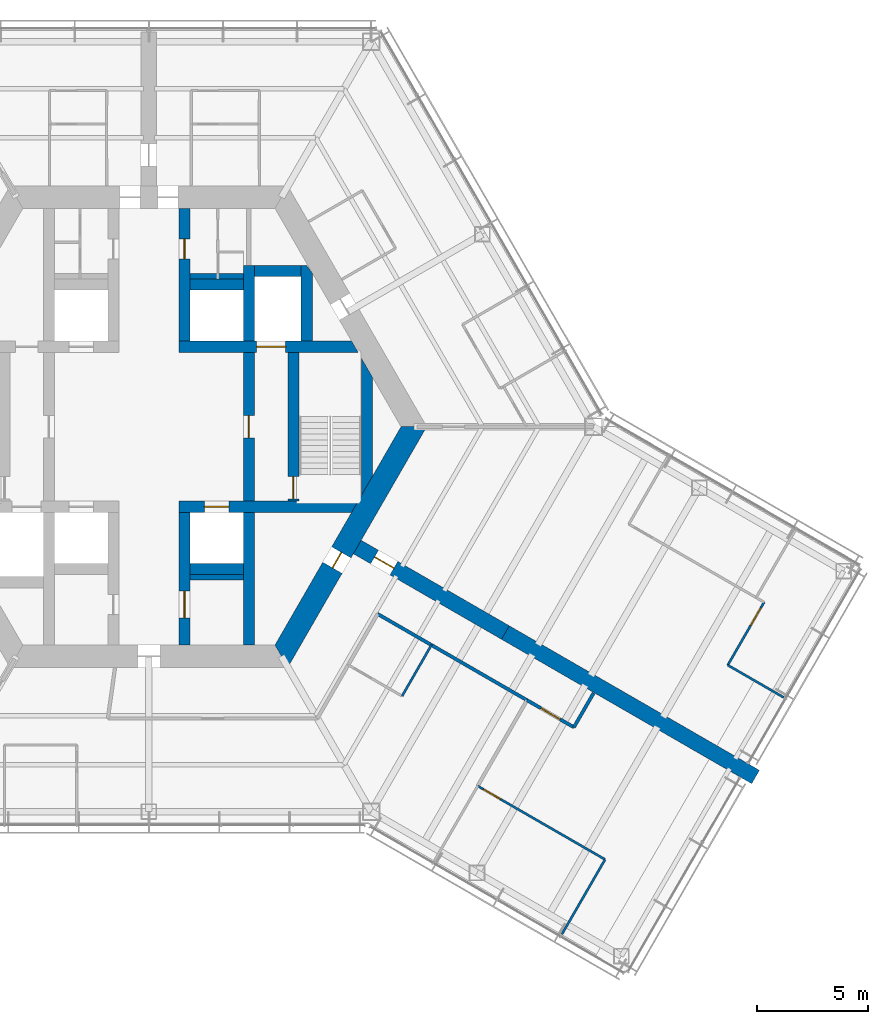
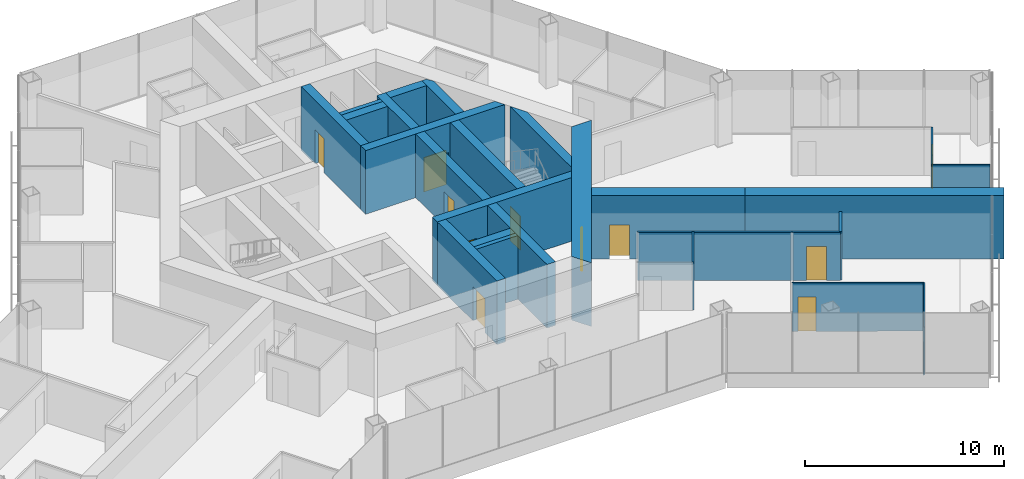
# One storey, part 13 of 18: 27 walls, 11 doors, 11 openings.
"""IFC4 building model written with IfcOpenShell, lengths in metres."""

from ifc_helpers import new_model, si_unit, direction, frame, frame_2d, origin, place, context, subcontext, project, spatial, polyline, rectangle, outline, extrude, material, layer, layer_set, type_object, element, fill, save


model = new_model("IFC4")

# Units and contexts
model_context = context("Model", 3, precision=1e-05, world=origin(), true_north=direction((0.0, 1.0)))
body_context = subcontext(model_context, "Body", "Model", "MODEL_VIEW")
ifc_project = project(units=[si_unit("LENGTHUNIT", "METRE"), si_unit("AREAUNIT", "SQUARE_METRE"), si_unit("VOLUMEUNIT", "CUBIC_METRE"), si_unit("PLANEANGLEUNIT", "RADIAN"), si_unit("MASSUNIT", "GRAM", prefix="KILO")], contexts=[model_context])

# Site, building, storey
site_placement = place(None, origin())
site = spatial("IfcSite", under=ifc_project, at=site_placement, CompositionType="ELEMENT")
building_placement = place(site_placement, origin())
building = spatial("IfcBuilding", under=site, at=building_placement, Name="Kasaneha Research Tower", CompositionType="ELEMENT")
storey_placement = place(building_placement, frame((0.0, 0.0, 137.0)))
storey = spatial("IfcBuildingStorey", under=building, at=storey_placement, Name="L34", CompositionType="ELEMENT", Elevation=137.0)

# Wall, opening, door
ifc_material_1 = material(Name="Concrete Fc70", Category="concrete")
ifc_layer_1 = layer(ifc_material_1, 0.5)
ifc_layer_set_1 = layer_set([ifc_layer_1], Name="Core internal wall 500 Fc70")
wall_type_1 = type_object("IfcWallType", Name="Core internal wall 500 Fc70", PredefinedType="SHEAR", material=ifc_layer_set_1)
wall_1_placement = place(storey_placement, frame((1.35009765625, 3.60009765625, 0.0), z_axis=(0.0, 0.0, 1.0), x_axis=(1.0, 0.0, 0.0)))
wall_1 = element("IfcWall", 1, at=wall_1_placement, inside=storey, type_object=wall_type_1, Name="Core wall W1E L34", PredefinedType="SHEAR", context=body_context, shape_type="SweptSolid", body=[
    extrude(outline(polyline([(0.0, -0.25), (3.5, -0.25), (4.800048828125, -0.25), (8.060546875, -0.25), (7.77197265625, 0.25), (4.800048828125, 0.25), (3.5, 0.25), (0.0, 0.25), (0.0, -0.25)])), origin(), (0.0, 0.0, 1.0), 3.89990234375),
])
opening_1_placement = place(wall_1_placement, frame((3.5, 0.0, 0.0)))
opening_1 = element("IfcOpeningElement", 2, at=opening_1_placement, cuts=wall_1, Name="Opening LD-FL1-L34", PredefinedType="OPENING", context=body_context, shape_type="SweptSolid", body=[
    extrude(rectangle(XDim=1.300048828125, YDim=2.10009765625, at=frame_2d((0.64990234375, 1.050048828125))), frame((0.0, 0.260009765625, 0.0), z_axis=(0.0, -1.0, 0.0), x_axis=(1.0, 0.0, 0.0)), (0.0, 0.0, 1.0), 0.52001953125),
])
ifc_material_2 = material(Name="Steel", Category="steel")
door_type_1 = type_object("IfcDoorType", Name="Lift landing door 1300x2100", OperationType="DOUBLE_DOOR_SLIDING", PredefinedType="DOOR", material=ifc_material_2)
door_1_placement = place(opening_1_placement, origin())
door_1 = element("IfcDoor", 3, at=door_1_placement, inside=storey, type_object=door_type_1, Name="Landing door FL1 LD-FL1-L34", OperationType="DOUBLE_DOOR_SLIDING", OverallHeight=2.10009765625, OverallWidth=1.300048828125, PredefinedType="DOOR", context=body_context, shape_type="SweptSolid", body=[
    extrude(rectangle(XDim=1.300048828125, YDim=2.10009765625, at=frame_2d((0.64990234375, 1.050048828125))), frame((0.0, 0.02490234375, 0.0), z_axis=(0.0, -1.0, 0.0), x_axis=(1.0, 0.0, 0.0)), (0.0, 0.0, 1.0), 0.050048828125),
])
fill(opening_1, door_1)

wall_2_placement = place(storey_placement, frame((1.35009765625, -3.60009765625, 0.0), z_axis=(0.0, 0.0, 1.0), x_axis=(1.0, 0.0, 0.0)))
wall_2 = element("IfcWall", 4, at=wall_2_placement, inside=storey, type_object=wall_type_1, Name="Core wall W2E L34", PredefinedType="SHEAR", context=body_context, shape_type="SweptSolid", body=[
    extrude(outline(polyline([(0.0, -0.25), (1.14990234375, -0.25), (2.25, -0.25), (7.77197265625, -0.25), (8.060546875, 0.25), (2.25, 0.25), (1.14990234375, 0.25), (0.0, 0.25), (0.0, -0.25)])), origin(), (0.0, 0.0, 1.0), 3.89990234375),
])
opening_2_placement = place(wall_2_placement, frame((1.14990234375, 0.0, 0.0)))
opening_2 = element("IfcOpeningElement", 5, at=opening_2_placement, cuts=wall_2, Name="Opening LD-LM2-L34", PredefinedType="OPENING", context=body_context, shape_type="SweptSolid", body=[
    extrude(rectangle(XDim=1.10009765625, YDim=2.10009765625, at=frame_2d((0.550048828125, 1.050048828125))), frame((0.0, 0.260009765625, 0.0), z_axis=(0.0, -1.0, 0.0), x_axis=(1.0, 0.0, 0.0)), (0.0, 0.0, 1.0), 0.52001953125),
])
ifc_material_3 = material(Name="Steel", Category="steel")
door_type_2 = type_object("IfcDoorType", Name="Lift landing door 1100x2100", OperationType="DOUBLE_DOOR_SLIDING", PredefinedType="DOOR", material=ifc_material_3)
door_2_placement = place(opening_2_placement, origin())
door_2 = element("IfcDoor", 6, at=door_2_placement, inside=storey, type_object=door_type_2, Name="Landing door LM2 LD-LM2-L34", OperationType="DOUBLE_DOOR_SLIDING", OverallHeight=2.10009765625, OverallWidth=1.10009765625, PredefinedType="DOOR", context=body_context, shape_type="SweptSolid", body=[
    extrude(rectangle(XDim=1.10009765625, YDim=2.10009765625, at=frame_2d((0.550048828125, 1.050048828125))), frame((0.0, 0.02490234375, 0.0), z_axis=(0.0, -1.0, 0.0), x_axis=(1.0, 0.0, 0.0)), (0.0, 0.0, 1.0), 0.050048828125),
])
fill(opening_2, door_2)

wall_3_placement = place(storey_placement, frame((1.60009765625, 3.85009765625, 0.0), z_axis=(0.0, 0.0, 1.0), x_axis=(0.0, 1.0, 0.0)))
wall_3 = element("IfcWall", 7, at=wall_3_placement, inside=storey, type_object=wall_type_1, Name="Core wall CNE L34", PredefinedType="SHEAR", context=body_context, shape_type="SweptSolid", body=[
    extrude(rectangle(XDim=5.974853515625, YDim=0.5, at=frame_2d((2.9873046875, 0.0))), origin(), (0.0, 0.0, 1.0), 3.89990234375),
])
opening_3_placement = place(wall_3_placement, frame((3.699951171875, 0.0, 0.0)))
opening_3 = element("IfcOpeningElement", 8, at=opening_3_placement, cuts=wall_3, Name="Opening L34-D14", PredefinedType="OPENING", context=body_context, shape_type="SweptSolid", body=[
    extrude(rectangle(XDim=0.89990234375, YDim=2.10009765625, at=frame_2d((0.449951171875, 1.050048828125))), frame((0.0, 0.260009765625, 0.0), z_axis=(0.0, -1.0, 0.0), x_axis=(1.0, 0.0, 0.0)), (0.0, 0.0, 1.0), 0.52001953125),
])
ifc_material_4 = material(Name="Steel", Category="steel")
door_type_3 = type_object("IfcDoorType", Name="Toilet door FD20 900x2100", OperationType="NOTDEFINED", PredefinedType="DOOR", material=ifc_material_4)
door_3_placement = place(opening_3_placement, origin())
door_3 = element("IfcDoor", 9, at=door_3_placement, inside=storey, type_object=door_type_3, Name="Women's WC door L34-D14", OperationType="SINGLE_SWING_LEFT", OverallHeight=2.10009765625, OverallWidth=0.89990234375, PredefinedType="DOOR", context=body_context, shape_type="SweptSolid", body=[
    extrude(rectangle(XDim=0.89990234375, YDim=2.10009765625, at=frame_2d((0.449951171875, 1.050048828125))), frame((0.0, 0.02490234375, 0.0), z_axis=(0.0, -1.0, 0.0), x_axis=(1.0, 0.0, 0.0)), (0.0, 0.0, 1.0), 0.050048828125),
])
fill(opening_3, door_3)

wall_4_placement = place(storey_placement, frame((1.60009765625, -3.85009765625, 0.0), z_axis=(0.0, 0.0, 1.0), x_axis=(0.0, -1.0, 0.0)))
wall_4 = element("IfcWall", 10, at=wall_4_placement, inside=storey, type_object=wall_type_1, Name="Core wall CSE L34", PredefinedType="SHEAR", context=body_context, shape_type="SweptSolid", body=[
    extrude(rectangle(XDim=5.974853515625, YDim=0.5, at=frame_2d((2.9873046875, 0.0))), origin(), (0.0, 0.0, 1.0), 3.89990234375),
])
opening_4_placement = place(wall_4_placement, frame((3.550048828125, 0.0, 0.0)))
opening_4 = element("IfcOpeningElement", 11, at=opening_4_placement, cuts=wall_4, Name="Opening L34-D15", PredefinedType="OPENING", context=body_context, shape_type="SweptSolid", body=[
    extrude(rectangle(XDim=1.199951171875, YDim=2.10009765625, at=frame_2d((0.60009765625, 1.050048828125))), frame((0.0, 0.260009765625, 0.0), z_axis=(0.0, -1.0, 0.0), x_axis=(1.0, 0.0, 0.0)), (0.0, 0.0, 1.0), 0.52001953125),
])
ifc_material_5 = material(Name="Steel", Category="steel")
door_type_4 = type_object("IfcDoorType", Name="Accessible toilet sliding door FD20 1200x2100", OperationType="SLIDING_TO_LEFT", PredefinedType="DOOR", material=ifc_material_5)
door_4_placement = place(opening_4_placement, origin())
door_4 = element("IfcDoor", 12, at=door_4_placement, inside=storey, type_object=door_type_4, Name="Accessible WC door L34-D15", OperationType="SLIDING_TO_LEFT", OverallHeight=2.10009765625, OverallWidth=1.199951171875, PredefinedType="DOOR", context=body_context, shape_type="SweptSolid", body=[
    extrude(rectangle(XDim=1.199951171875, YDim=2.10009765625, at=frame_2d((0.60009765625, 1.050048828125))), frame((0.0, 0.02490234375, 0.0), z_axis=(0.0, -1.0, 0.0), x_axis=(1.0, 0.0, 0.0)), (0.0, 0.0, 1.0), 0.050048828125),
])
fill(opening_4, door_4)

wall_5_placement = place(storey_placement, frame((4.5, -3.35009765625, 0.0), z_axis=(0.0, 0.0, 1.0), x_axis=(0.0, 1.0, 0.0)))
wall_5 = element("IfcWall", 13, at=wall_5_placement, inside=storey, type_object=wall_type_1, Name="Core wall LBE L34", PredefinedType="SHEAR", context=body_context, shape_type="SweptSolid", body=[
    extrude(rectangle(XDim=6.7001953125, YDim=0.5, at=frame_2d((3.35009765625, 0.0))), origin(), (0.0, 0.0, 1.0), 3.89990234375),
])
opening_5_placement = place(wall_5_placement, frame((2.85009765625, 0.0, 0.0)))
opening_5 = element("IfcOpeningElement", 14, at=opening_5_placement, cuts=wall_5, Name="Opening L34-D08", PredefinedType="OPENING", context=body_context, shape_type="SweptSolid", body=[
    extrude(rectangle(XDim=1.0, YDim=2.10009765625, at=frame_2d((0.5, 1.050048828125))), frame((0.0, 0.260009765625, 0.0), z_axis=(0.0, -1.0, 0.0), x_axis=(1.0, 0.0, 0.0)), (0.0, 0.0, 1.0), 0.52001953125),
])
ifc_material_6 = material(Name="Steel", Category="steel")
door_type_5 = type_object("IfcDoorType", Name="Specified fire door FD60 1000x2100", OperationType="NOTDEFINED", PredefinedType="DOOR", material=ifc_material_6)
door_5_placement = place(opening_5_placement, origin())
door_5 = element("IfcDoor", 15, at=door_5_placement, inside=storey, type_object=door_type_5, Name="Lift lobby door east L34-D08", OperationType="SINGLE_SWING_LEFT", OverallHeight=2.10009765625, OverallWidth=1.0, PredefinedType="DOOR", context=body_context, shape_type="SweptSolid", body=[
    extrude(rectangle(XDim=1.0, YDim=2.10009765625, at=frame_2d((0.5, 1.050048828125))), frame((0.0, 0.02490234375, 0.0), z_axis=(0.0, -1.0, 0.0), x_axis=(1.0, 0.0, 0.0)), (0.0, 0.0, 1.0), 0.050048828125),
])
fill(opening_5, door_5)

wall_6_placement = place(storey_placement, frame((6.5, -3.35009765625, 0.0), z_axis=(0.0, 0.0, 1.0), x_axis=(0.0, 1.0, 0.0)))
wall_6 = element("IfcWall", 16, at=wall_6_placement, inside=storey, type_object=wall_type_1, Name="Core wall ANE L34", PredefinedType="SHEAR", context=body_context, shape_type="SweptSolid", body=[
    extrude(rectangle(XDim=6.7001953125, YDim=0.5, at=frame_2d((3.35009765625, 0.0))), origin(), (0.0, 0.0, 1.0), 3.89990234375),
])
opening_6_placement = place(wall_6_placement, frame((0.10009765625, 0.0, 0.0)))
opening_6 = element("IfcOpeningElement", 17, at=opening_6_placement, cuts=wall_6, Name="Opening L34-D10", PredefinedType="OPENING", context=body_context, shape_type="SweptSolid", body=[
    extrude(rectangle(XDim=1.0, YDim=2.10009765625, at=frame_2d((0.5, 1.050048828125))), frame((0.0, 0.260009765625, 0.0), z_axis=(0.0, -1.0, 0.0), x_axis=(1.0, 0.0, 0.0)), (0.0, 0.0, 1.0), 0.52001953125),
])
door_6_placement = place(opening_6_placement, origin())
door_6 = element("IfcDoor", 18, at=door_6_placement, inside=storey, type_object=door_type_5, Name="Stair 1 door L34-D10", OperationType="SINGLE_SWING_LEFT", OverallHeight=2.10009765625, OverallWidth=1.0, PredefinedType="DOOR", context=body_context, shape_type="SweptSolid", body=[
    extrude(rectangle(XDim=1.0, YDim=2.10009765625, at=frame_2d((0.5, 1.050048828125))), frame((0.0, 0.02490234375, 0.0), z_axis=(0.0, -1.0, 0.0), x_axis=(1.0, 0.0, 0.0)), (0.0, 0.0, 1.0), 0.050048828125),
])
fill(opening_6, door_6)

# Walls
wall_7_placement = place(storey_placement, frame((4.5, 3.85009765625, 0.0), z_axis=(0.0, 0.0, 1.0), x_axis=(0.0, 1.0, 0.0)))
element("IfcWall", 19, at=wall_7_placement, inside=storey, type_object=wall_type_1, Name="Core wall FNE L34", PredefinedType="SHEAR", context=body_context, shape_type="SweptSolid", body=[
    extrude(rectangle(XDim=3.39990234375, YDim=0.5, at=frame_2d((1.699951171875, 0.0))), origin(), (0.0, 0.0, 1.0), 3.89990234375),
])
wall_8_placement = place(storey_placement, frame((4.5, -3.85009765625, 0.0), z_axis=(0.0, 0.0, 1.0), x_axis=(0.0, -1.0, 0.0)))
element("IfcWall", 20, at=wall_8_placement, inside=storey, type_object=wall_type_1, Name="Core wall SSE L34", PredefinedType="SHEAR", context=body_context, shape_type="SweptSolid", body=[
    extrude(rectangle(XDim=5.974853515625, YDim=0.5, at=frame_2d((2.9873046875, 0.0))), origin(), (0.0, 0.0, 1.0), 3.89990234375),
])
for number, where, z_axis, x_axis, name in (
    (21, (1.85009765625, 6.39990234375, 0.0), (0.0, 0.0, 1.0), (1.0, 0.0, 0.0), "Core wall N3N L34"),
    (22, (1.85009765625, -6.39990234375, 0.0), (0.0, 0.0, 1.0), (1.0, 0.0, 0.0), "Core wall S3S L34"),
):
    element("IfcWall", number, at=place(storey_placement, frame(where, z_axis=z_axis, x_axis=x_axis)), inside=storey, type_object=wall_type_1, Name=name, PredefinedType="SHEAR", context=body_context, shape_type="SweptSolid", body=[
        extrude(rectangle(XDim=2.39990234375, YDim=0.5, at=frame_2d((1.199951171875, 0.0))), origin(), (0.0, 0.0, 1.0), 3.89990234375),
    ])
wall_9_placement = place(storey_placement, frame((4.75, 7.0, 0.0), z_axis=(0.0, 0.0, 1.0), x_axis=(1.0, 0.0, 0.0)))
element("IfcWall", 23, at=wall_9_placement, inside=storey, type_object=wall_type_1, Name="Core wall F1N L34", PredefinedType="SHEAR", context=body_context, shape_type="SweptSolid", body=[
    extrude(rectangle(XDim=2.10009765625, YDim=0.5, at=frame_2d((1.050048828125, 0.0))), origin(), (0.0, 0.0, 1.0), 3.89990234375),
])
wall_10_placement = place(storey_placement, frame((7.10009765625, 3.85009765625, 0.0), z_axis=(0.0, 0.0, 1.0), x_axis=(0.0, 1.0, 0.0)))
element("IfcWall", 24, at=wall_10_placement, inside=storey, type_object=wall_type_1, Name="Core wall F1E L34", PredefinedType="SHEAR", context=body_context, shape_type="SweptSolid", body=[
    extrude(outline(polyline([(0.0, -0.25), (3.0693359375, -0.25), (3.39990234375, 0.0), (3.39990234375, 0.25), (0.0, 0.25), (0.0, -0.25)])), origin(), (0.0, 0.0, 1.0), 3.89990234375),
])
wall_11_placement = place(storey_placement, frame((9.807861328125, -2.662353515625, 0.0), z_axis=(0.0, 0.0, 1.0), x_axis=(0.0, 1.0, 0.0)))
element("IfcWall", 25, at=wall_11_placement, inside=storey, type_object=wall_type_1, Name="Core wall STE L34", PredefinedType="SHEAR", context=body_context, shape_type="SweptSolid", body=[
    extrude(outline(polyline([(0.43310546875, -0.25), (4.8916015625, -0.25), (5.7578125, 0.25), (-0.43310546875, 0.25), (0.43310546875, -0.25)])), origin(), (0.0, 0.0, 1.0), 3.89990234375),
])

# Wall, opening, door
ifc_material_7 = material(Name="Concrete Fc70", Category="concrete")
ifc_layer_2 = layer(ifc_material_7, 1.0)
ifc_layer_set_2 = layer_set([ifc_layer_2], Name="Core wall 1000 Fc70")
wall_type_2 = type_object("IfcWallType", Name="Core wall 1000 Fc70", PredefinedType="SHEAR", material=ifc_layer_set_2)
wall_12_placement = place(storey_placement, frame((5.961181640625, -10.324951171875, 0.0), z_axis=(0.0, 0.0, 1.0), x_axis=(0.500004296715, 0.866022923061, 0.0)))
wall_12 = element("IfcWall", 26, at=wall_12_placement, inside=storey, type_object=wall_type_2, Name="Core wall 330 L34", PredefinedType="SHEAR", context=body_context, shape_type="SweptSolid", body=[
    extrude(outline(polyline([(-0.28857421875, -0.5), (4.593994140625, -0.5), (5.39404296875, -0.5), (12.2109375, -0.5), (11.6337890625, 0.5), (5.39404296875, 0.5), (4.593994140625, 0.5), (0.28857421875, 0.5), (-0.28857421875, -0.5)])), origin(), (0.0, 0.0, 1.0), 3.89990234375),
])
opening_7_placement = place(wall_12_placement, frame((4.593994140625, 0.0, 0.0)))
opening_7 = element("IfcOpeningElement", 27, at=opening_7_placement, cuts=wall_12, Name="Opening L34-D05", PredefinedType="OPENING", context=body_context, shape_type="SweptSolid", body=[
    extrude(rectangle(XDim=0.800048828125, YDim=2.10009765625, at=frame_2d((0.39990234375, 1.050048828125))), frame((0.0, 0.510009765625, 0.0), z_axis=(0.0, -1.0, 0.0), x_axis=(1.0, 0.0, 0.0)), (0.0, 0.0, 1.0), 1.02001953125),
])
ifc_material_8 = material(Name="Steel", Category="steel")
door_type_6 = type_object("IfcDoorType", Name="Riser access door FD60 800x2100", OperationType="NOTDEFINED", PredefinedType="DOOR", material=ifc_material_8)
door_7_placement = place(opening_7_placement, origin())
door_7 = element("IfcDoor", 28, at=door_7_placement, inside=storey, type_object=door_type_6, Name="Pipe riser door L34-D05", OperationType="SINGLE_SWING_LEFT", OverallHeight=2.10009765625, OverallWidth=0.800048828125, PredefinedType="DOOR", context=body_context, shape_type="SweptSolid", body=[
    extrude(rectangle(XDim=0.800048828125, YDim=2.10009765625, at=frame_2d((0.39990234375, 1.050048828125))), frame((0.0, 0.02490234375, 0.0), z_axis=(0.0, -1.0, 0.0), x_axis=(1.0, 0.0, 0.0)), (0.0, 0.0, 1.0), 0.050048828125),
])
fill(opening_7, door_7)

ifc_material_9 = material(Name="Gypsum board on steel studs, one layer each side", Category="steel")
ifc_layer_3 = layer(ifc_material_9, 0.10009765625)
ifc_layer_set_3 = layer_set([ifc_layer_3], Name="Office partition 100")
wall_type_3 = type_object("IfcWallType", Name="Office partition 100", PredefinedType="PARTITIONING", material=ifc_layer_set_3)
wall_13_placement = place(storey_placement, frame((26.04638671875, -10.72705078125, 0.0), z_axis=(0.0, 0.0, 1.0), x_axis=(0.499765599164, 0.866160692881, 0.0)))
wall_13 = element("IfcWall", 29, at=wall_13_placement, inside=storey, type_object=wall_type_3, Name="Office partition FCE04 L34", PredefinedType="PARTITIONING", context=body_context, shape_type="SweptSolid", body=[
    extrude(rectangle(XDim=3.265625, YDim=0.10009765625, at=frame_2d((1.6328125, 0.0))), origin(), (0.0, 0.0, 1.0), 2.949951171875),
])
opening_8_placement = place(wall_13_placement, frame((2.065673828125, 0.0, 0.0)))
opening_8 = element("IfcOpeningElement", 30, at=opening_8_placement, cuts=wall_13, Name="Opening L34-D44", PredefinedType="OPENING", context=body_context, shape_type="SweptSolid", body=[
    extrude(rectangle(XDim=0.89990234375, YDim=2.10009765625, at=frame_2d((0.449951171875, 1.050048828125))), frame((0.0, 0.06005859375, 0.0), z_axis=(0.0, -1.0, 0.0), x_axis=(1.0, 0.0, 0.0)), (0.0, 0.0, 1.0), 0.1201171875),
])
ifc_material_10 = material(Name="Timber veneer", Category="wood")
door_type_7 = type_object("IfcDoorType", Name="Office door 900x2100", OperationType="SINGLE_SWING_LEFT", PredefinedType="DOOR", material=ifc_material_10)
door_8_placement = place(opening_8_placement, origin())
door_8 = element("IfcDoor", 31, at=door_8_placement, inside=storey, type_object=door_type_7, Name="Interview room door L34-D44", OperationType="SINGLE_SWING_RIGHT", OverallHeight=2.10009765625, OverallWidth=0.89990234375, PredefinedType="DOOR", context=body_context, shape_type="SweptSolid", body=[
    extrude(rectangle(XDim=0.89990234375, YDim=2.10009765625, at=frame_2d((0.449951171875, 1.050048828125))), frame((0.0, 0.02490234375, 0.0), z_axis=(0.0, -1.0, 0.0), x_axis=(1.0, 0.0, 0.0)), (0.0, 0.0, 1.0), 0.050048828125),
])
fill(opening_8, door_8)

# Walls
wall_14_placement = place(storey_placement, frame((28.5625, -12.1796875, 0.0), z_axis=(0.0, 0.0, 1.0), x_axis=(-0.866031657677, 0.499989167784, 0.0)))
element("IfcWall", 32, at=wall_14_placement, inside=storey, type_object=wall_type_3, Name="Office partition FCE06 L34", PredefinedType="PARTITIONING", context=body_context, shape_type="SweptSolid", body=[
    extrude(rectangle(XDim=2.9052734375, YDim=0.10009765625, at=frame_2d((1.45263671875, 0.0))), origin(), (0.0, 0.0, 1.0), 2.949951171875),
])
wall_15_placement = place(storey_placement, frame((12.712646484375, -9.822265625, 0.0), z_axis=(0.0, 0.0, 1.0), x_axis=(-0.49852824611, -0.866873455488, 0.0)))
element("IfcWall", 33, at=wall_15_placement, inside=storey, type_object=wall_type_3, Name="Office partition FCS10 L34", PredefinedType="PARTITIONING", context=body_context, shape_type="SweptSolid", body=[
    extrude(rectangle(XDim=2.64990234375, YDim=0.10009765625, at=frame_2d((1.324951171875, 0.0))), origin(), (0.0, 0.0, 1.0), 2.949951171875),
])

# Wall, opening, door
wall_16_placement = place(storey_placement, frame((14.7900390625, -16.165283203125, 0.0), z_axis=(0.0, 0.0, 1.0), x_axis=(0.866359914703, -0.499420161984, 0.0)))
wall_16 = element("IfcWall", 34, at=wall_16_placement, inside=storey, type_object=wall_type_3, Name="Office partition FCS15 L34", PredefinedType="PARTITIONING", context=body_context, shape_type="SweptSolid", body=[
    extrude(rectangle(XDim=6.619384765625, YDim=0.10009765625, at=frame_2d((3.3095703125, 0.0))), origin(), (0.0, 0.0, 1.0), 2.949951171875),
])
opening_9_placement = place(wall_16_placement, frame((0.300048828125, 0.0, 0.0)))
opening_9 = element("IfcOpeningElement", 35, at=opening_9_placement, cuts=wall_16, Name="Opening L34-D49", PredefinedType="OPENING", context=body_context, shape_type="SweptSolid", body=[
    extrude(rectangle(XDim=0.89990234375, YDim=2.10009765625, at=frame_2d((0.449951171875, 1.050048828125))), frame((0.0, 0.06005859375, 0.0), z_axis=(0.0, -1.0, 0.0), x_axis=(1.0, 0.0, 0.0)), (0.0, 0.0, 1.0), 0.1201171875),
])
door_9_placement = place(opening_9_placement, origin())
door_9 = element("IfcDoor", 36, at=door_9_placement, inside=storey, type_object=door_type_7, Name="Meeting room door L34-D49", OperationType="SINGLE_SWING_LEFT", OverallHeight=2.10009765625, OverallWidth=0.89990234375, PredefinedType="DOOR", context=body_context, shape_type="SweptSolid", body=[
    extrude(rectangle(XDim=0.89990234375, YDim=2.10009765625, at=frame_2d((0.449951171875, 1.050048828125))), frame((0.0, 0.02490234375, 0.0), z_axis=(0.0, -1.0, 0.0), x_axis=(1.0, 0.0, 0.0)), (0.0, 0.0, 1.0), 0.050048828125),
])
fill(opening_9, door_9)

# Wall
wall_17_placement = place(storey_placement, frame((20.52490234375, -19.47119140625, 0.0), z_axis=(0.0, 0.0, 1.0), x_axis=(-0.499996613652, -0.866027358884, 0.0)))
element("IfcWall", 37, at=wall_17_placement, inside=storey, type_object=wall_type_3, Name="Office partition FCS16 L34", PredefinedType="PARTITIONING", context=body_context, shape_type="SweptSolid", body=[
    extrude(rectangle(XDim=3.8798828125, YDim=0.10009765625, at=frame_2d((1.93994140625, 0.0))), origin(), (0.0, 0.0, 1.0), 2.949951171875),
])

# Wall, opening, door
ifc_material_11 = material(Name="Concrete Fc70", Category="concrete")
ifc_layer_4 = layer(ifc_material_11, 0.699951171875)
ifc_layer_set_4 = layer_set([ifc_layer_4], Name="Spine wall 700 Fc70")
wall_type_4 = type_object("IfcWallType", Name="Spine wall 700 Fc70", PredefinedType="SHEAR", material=ifc_layer_set_4)
wall_18_placement = place(storey_placement, frame((9.374755859375, -5.41259765625, 0.0), z_axis=(0.0, 0.0, 1.0), x_axis=(0.866032377459, -0.499987921047, 0.0)))
wall_18 = element("IfcWall", 38, at=wall_18_placement, inside=storey, type_object=wall_type_4, Name="Spine wall C L34", PredefinedType="SHEAR", context=body_context, shape_type="SweptSolid", body=[
    extrude(rectangle(XDim=7.695556640625, YDim=0.699951171875, at=frame_2d((3.84765625, 0.0))), origin(), (0.0, 0.0, 1.0), 3.89990234375),
])
opening_10_placement = place(wall_18_placement, frame((0.89990234375, 0.0, 0.0)))
opening_10 = element("IfcOpeningElement", 39, at=opening_10_placement, cuts=wall_18, Name="Opening L34-D19", PredefinedType="OPENING", context=body_context, shape_type="SweptSolid", body=[
    extrude(rectangle(XDim=1.0, YDim=2.10009765625, at=frame_2d((0.5, 1.050048828125))), frame((0.0, 0.35986328125, 0.0), z_axis=(0.0, -1.0, 0.0), x_axis=(1.0, 0.0, 0.0)), (0.0, 0.0, 1.0), 0.719970703125),
])
door_10_placement = place(opening_10_placement, origin())
door_10 = element("IfcDoor", 40, at=door_10_placement, inside=storey, type_object=door_type_5, Name="Spine doorway C L34-D19", OperationType="SINGLE_SWING_LEFT", OverallHeight=2.10009765625, OverallWidth=1.0, PredefinedType="DOOR", context=body_context, shape_type="SweptSolid", body=[
    extrude(rectangle(XDim=1.0, YDim=2.10009765625, at=frame_2d((0.5, 1.050048828125))), frame((0.0, 0.02490234375, 0.0), z_axis=(0.0, -1.0, 0.0), x_axis=(1.0, 0.0, 0.0)), (0.0, 0.0, 1.0), 0.050048828125),
])
fill(opening_10, door_10)

# Walls
wall_19_placement = place(storey_placement, frame((16.039306640625, -9.26025390625, 0.0), z_axis=(0.0, 0.0, 1.0), x_axis=(0.866024837091, -0.50000098154, 0.0)))
element("IfcWall", 41, at=wall_19_placement, inside=storey, type_object=wall_type_4, Name="Spine wall C wing L34", PredefinedType="SHEAR", context=body_context, shape_type="SweptSolid", body=[
    extrude(rectangle(XDim=13.0, YDim=0.699951171875, at=frame_2d((6.5, 0.0))), origin(), (0.0, 0.0, 1.0), 3.89990234375),
])
ifc_material_12 = material(Name="Gypsum board on steel studs, two layers each side", Category="steel")
ifc_layer_5 = layer(ifc_material_12, 0.14990234375)
ifc_layer_set_5 = layer_set([ifc_layer_5], Name="Suite partition 150")
wall_type_5 = type_object("IfcWallType", Name="Suite partition 150", PredefinedType="PARTITIONING", material=ifc_layer_set_5)
wall_20_placement = place(storey_placement, frame((12.720703125, -9.826904296875, 0.0), z_axis=(0.0, 0.0, 1.0), x_axis=(-0.866049342339, 0.499958534914, 0.0)))
element("IfcWall", 42, at=wall_20_placement, inside=storey, type_object=wall_type_5, Name="Suite partition FCS02 L34", PredefinedType="PARTITIONING", context=body_context, shape_type="SweptSolid", body=[
    extrude(rectangle(XDim=2.804931640625, YDim=0.14990234375, at=frame_2d((1.40234375, 0.0))), origin(), (0.0, 0.0, 1.0), 2.949951171875),
])
wall_21_placement = place(storey_placement, frame((17.021484375, -12.31005859375, 0.0), z_axis=(0.0, 0.0, 1.0), x_axis=(-0.866018071205, 0.500012700186, 0.0)))
element("IfcWall", 43, at=wall_21_placement, inside=storey, type_object=wall_type_5, Name="Suite partition FCS06 L34", PredefinedType="PARTITIONING", context=body_context, shape_type="SweptSolid", body=[
    extrude(rectangle(XDim=4.975341796875, YDim=0.14990234375, at=frame_2d((2.48779296875, 0.0))), origin(), (0.0, 0.0, 1.0), 2.949951171875),
])

# Wall, opening, door
wall_22_placement = place(storey_placement, frame((19.12109375, -13.522216796875, 0.0), z_axis=(0.0, 0.0, 1.0), x_axis=(-0.866000196749, 0.500043657324, 0.0)))
wall_22 = element("IfcWall", 44, at=wall_22_placement, inside=storey, type_object=wall_type_5, Name="Suite partition FCS07 L34", PredefinedType="PARTITIONING", context=body_context, shape_type="SweptSolid", body=[
    extrude(rectangle(XDim=2.434326171875, YDim=0.14990234375, at=frame_2d((1.21728515625, 0.0))), origin(), (0.0, 0.0, 1.0), 2.949951171875),
])
opening_11_placement = place(wall_22_placement, frame((0.71728515625, 0.0, 0.0)))
opening_11 = element("IfcOpeningElement", 45, at=opening_11_placement, cuts=wall_22, Name="Opening L34-D46", PredefinedType="OPENING", context=body_context, shape_type="SweptSolid", body=[
    extrude(rectangle(XDim=1.0, YDim=2.10009765625, at=frame_2d((0.5, 1.050048828125))), frame((0.0, 0.0849609375, 0.0), z_axis=(0.0, -1.0, 0.0), x_axis=(1.0, 0.0, 0.0)), (0.0, 0.0, 1.0), 0.169921875),
])
ifc_material_13 = material(Name="Steel", Category="steel")
door_type_8 = type_object("IfcDoorType", Name="Suite entrance door FD60 1000x2100", OperationType="NOTDEFINED", PredefinedType="DOOR", material=ifc_material_13)
door_11_placement = place(opening_11_placement, origin())
door_11 = element("IfcDoor", 46, at=door_11_placement, inside=storey, type_object=door_type_8, Name="Suite entrance door L34-D46", OperationType="SINGLE_SWING_LEFT", OverallHeight=2.10009765625, OverallWidth=1.0, PredefinedType="DOOR", context=body_context, shape_type="SweptSolid", body=[
    extrude(rectangle(XDim=1.0, YDim=2.10009765625, at=frame_2d((0.5, 1.050048828125))), frame((0.0, 0.02490234375, 0.0), z_axis=(0.0, -1.0, 0.0), x_axis=(1.0, 0.0, 0.0)), (0.0, 0.0, 1.0), 0.050048828125),
])
fill(opening_11, door_11)

# Walls
wall_23_placement = place(storey_placement, frame((20.01123046875, -11.980712890625, 0.0), z_axis=(0.0, 0.0, 1.0), x_axis=(-0.500062787734, -0.865989150234, 0.0)))
element("IfcWall", 47, at=wall_23_placement, inside=storey, type_object=wall_type_5, Name="Suite partition FCS08 L34", PredefinedType="PARTITIONING", context=body_context, shape_type="SweptSolid", body=[
    extrude(rectangle(XDim=1.780029296875, YDim=0.14990234375, at=frame_2d((0.89013671875, 0.0))), origin(), (0.0, 0.0, 1.0), 2.949951171875),
])
ifc_material_14 = material(Name="Concrete block lining", Category="concrete")
ifc_layer_6 = layer(ifc_material_14, 0.25)
ifc_layer_set_6 = layer_set([ifc_layer_6], Name="WC plumbing wall 250")
wall_type_6 = type_object("IfcWallType", Name="WC plumbing wall 250", PredefinedType="PLUMBINGWALL", material=ifc_layer_set_6)
for number, where, z_axis, x_axis, name in (
    (48, (1.85009765625, 6.77490234375, 0.0), (0.0, 0.0, 1.0), (1.0, 0.0, 0.0), "WC plumbing wall F L34"),
    (49, (1.85009765625, -6.77490234375, 0.0), (0.0, 0.0, 1.0), (1.0, 0.0, 0.0), "WC plumbing wall A L34"),
):
    element("IfcWall", number, at=place(storey_placement, frame(where, z_axis=z_axis, x_axis=x_axis)), inside=storey, type_object=wall_type_6, Name=name, PredefinedType="PLUMBINGWALL", context=body_context, shape_type="SweptSolid", body=[
        extrude(rectangle(XDim=2.39990234375, YDim=0.25, at=frame_2d((1.199951171875, 0.0))), origin(), (0.0, 0.0, 1.0), 3.89990234375),
    ])

save(model, "model.ifc")
